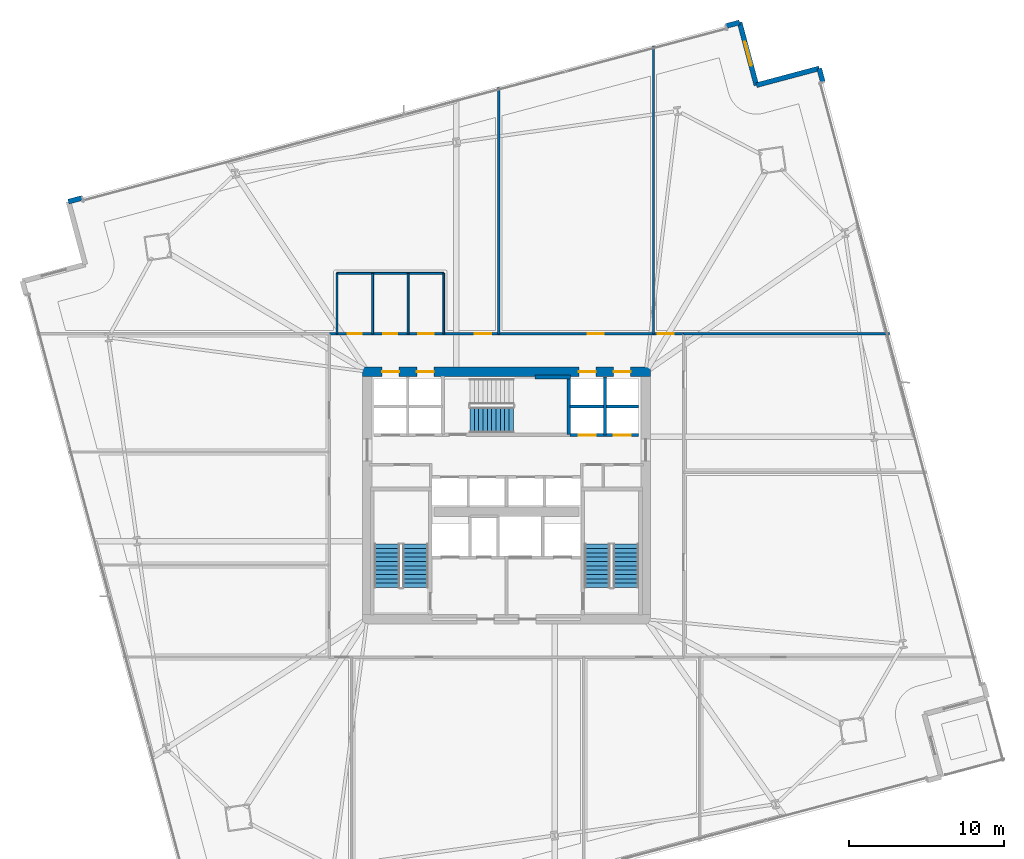
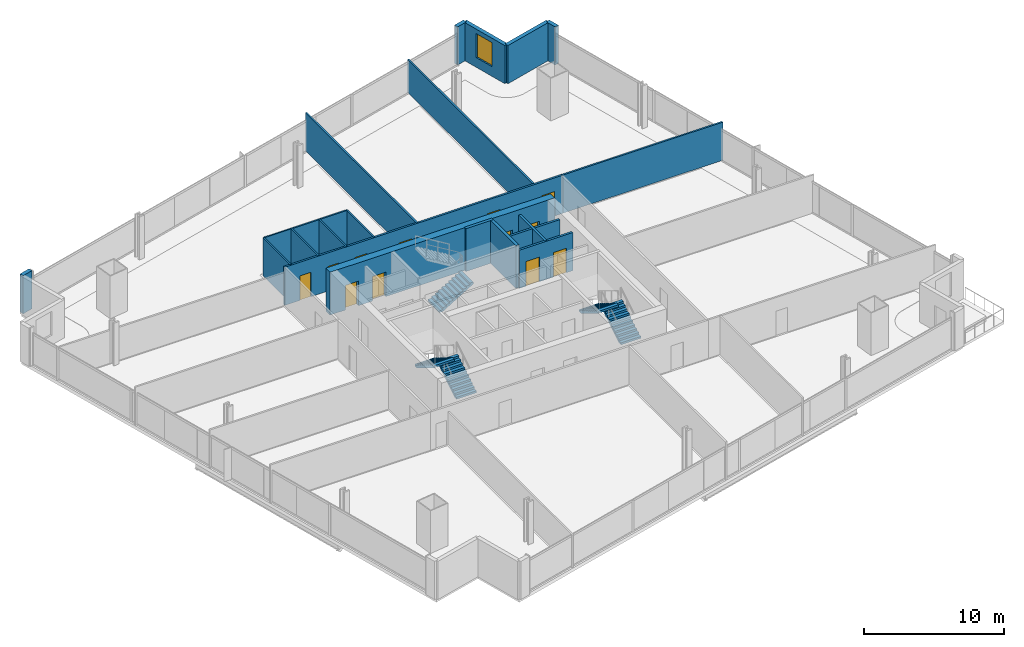
# One storey, part 27 of 33: 20 walls, 12 doors, 5 stair flights, 1 window, 13 openings, 3 elements without a shape of their own.
"""IFC4 building model written with IfcOpenShell, lengths in metres."""

from ifc_helpers import new_model, si_unit, direction, frame, frame_2d, origin, place, context, subcontext, project, spatial, polyline, rectangle, outline, extrude, material, layer, layer_set, type_object, element, fill, aggregate, save


model = new_model("IFC4")

# Units and contexts
model_context = context("Model", 3, precision=1e-05, world=origin(), true_north=direction((0.0, 1.0)))
body_context = subcontext(model_context, "Body", "Model", "MODEL_VIEW")
ifc_project = project(units=[si_unit("LENGTHUNIT", "METRE"), si_unit("AREAUNIT", "SQUARE_METRE"), si_unit("VOLUMEUNIT", "CUBIC_METRE"), si_unit("PLANEANGLEUNIT", "RADIAN"), si_unit("MASSUNIT", "GRAM", prefix="KILO")], contexts=[model_context])

# Site, building, storey
site_placement = place(None, origin())
site = spatial("IfcSite", under=ifc_project, at=site_placement, CompositionType="ELEMENT")
building_placement = place(site_placement, origin())
building = spatial("IfcBuilding", under=site, at=building_placement, Name="Haldenkirk Collegiate Tower", CompositionType="ELEMENT")
storey_placement = place(building_placement, frame((0.0, 0.0, 77.699951171875)))
storey = spatial("IfcBuildingStorey", under=building, at=storey_placement, Name="L18", CompositionType="ELEMENT", Elevation=77.699951171875)

# Wall, openings, doors
ifc_material_1 = material(Name="Concrete f'c 70 MPa", Category="concrete")
ifc_layer_1 = layer(ifc_material_1, 0.60009765625)
ifc_layer_set_1 = layer_set([ifc_layer_1], Name="Concrete f'c 70 MPa")
wall_type_1 = type_object("IfcWallType", Name="WL-CORE-600", PredefinedType="SHEAR", material=ifc_layer_set_1)
wall_1_placement = place(storey_placement, frame((26.699951171875, 34.0, 0.0), z_axis=(0.0, 0.0, 1.0), x_axis=(1.0, 0.0, 0.0)))
wall_1 = element("IfcWall", 1, at=wall_1_placement, inside=storey, type_object=wall_type_1, Name="L18 central core shear wall N", PredefinedType="SHEAR", context=body_context, shape_type="SweptSolid", body=[
    extrude(rectangle(XDim=18.60009765625, YDim=0.60009765625, at=frame_2d((9.300048828125, 0.0))), origin(), (0.0, 0.0, 1.0), 3.75),
])
opening_1_placement = place(wall_1_placement, frame((1.264892578125, 0.0, 0.0)))
opening_1 = element("IfcOpeningElement", 2, at=opening_1_placement, cuts=wall_1, Name="Opening LD-11", PredefinedType="OPENING", context=body_context, shape_type="SweptSolid", body=[
    extrude(rectangle(XDim=1.10009765625, YDim=2.14990234375, at=frame_2d((0.550048828125, 1.074951171875))), frame((0.0, 0.31005859375, 0.0), z_axis=(0.0, -1.0, 0.0), x_axis=(1.0, 0.0, 0.0)), (0.0, 0.0, 1.0), 0.6201171875),
])
opening_2_placement = place(wall_1_placement, frame((3.514892578125, 0.0, 0.0)))
opening_2 = element("IfcOpeningElement", 3, at=opening_2_placement, cuts=wall_1, Name="Opening LD-11", PredefinedType="OPENING", context=body_context, shape_type="SweptSolid", body=[
    extrude(rectangle(XDim=1.10009765625, YDim=2.14990234375, at=frame_2d((0.550048828125, 1.074951171875))), frame((0.0, 0.31005859375, 0.0), z_axis=(0.0, -1.0, 0.0), x_axis=(1.0, 0.0, 0.0)), (0.0, 0.0, 1.0), 0.6201171875),
])
opening_3_placement = place(wall_1_placement, frame((13.985107421875, 0.0, 0.0)))
opening_3 = element("IfcOpeningElement", 4, at=opening_3_placement, cuts=wall_1, Name="Opening LD-11", PredefinedType="OPENING", context=body_context, shape_type="SweptSolid", body=[
    extrude(rectangle(XDim=1.10009765625, YDim=2.14990234375, at=frame_2d((0.550048828125, 1.074951171875))), frame((0.0, 0.31005859375, 0.0), z_axis=(0.0, -1.0, 0.0), x_axis=(1.0, 0.0, 0.0)), (0.0, 0.0, 1.0), 0.6201171875),
])
opening_4_placement = place(wall_1_placement, frame((16.235107421875, 0.0, 0.0)))
opening_4 = element("IfcOpeningElement", 5, at=opening_4_placement, cuts=wall_1, Name="Opening LD-11", PredefinedType="OPENING", context=body_context, shape_type="SweptSolid", body=[
    extrude(rectangle(XDim=1.10009765625, YDim=2.14990234375, at=frame_2d((0.550048828125, 1.074951171875))), frame((0.0, 0.31005859375, 0.0), z_axis=(0.0, -1.0, 0.0), x_axis=(1.0, 0.0, 0.0)), (0.0, 0.0, 1.0), 0.6201171875),
])
ifc_material_2 = material(Name="Brushed architectural stainless steel", Category="steel")
ifc_layer_2 = layer(ifc_material_2, 0.06005859375)
ifc_layer_set_2 = layer_set([ifc_layer_2], Name="Brushed architectural stainless steel")
door_type_1 = type_object("IfcDoorType", Name="LD-PASS-1100", OperationType="NOTDEFINED", PredefinedType="DOOR", material=ifc_layer_set_2)
door_1_placement = place(opening_1_placement, origin())
door_1 = element("IfcDoor", 6, at=door_1_placement, inside=storey, type_object=door_type_1, Name="L18 Elevator PL3 sliding landing door", OperationType="SLIDING_TO_LEFT", OverallHeight=2.14990234375, OverallWidth=1.10009765625, PredefinedType="DOOR", context=body_context, shape_type="SweptSolid", body=[
    extrude(rectangle(XDim=1.10009765625, YDim=2.14990234375, at=frame_2d((0.550048828125, 1.074951171875))), frame((0.0, 0.02490234375, 0.0), z_axis=(0.0, -1.0, 0.0), x_axis=(1.0, 0.0, 0.0)), (0.0, 0.0, 1.0), 0.050048828125),
])
fill(opening_1, door_1)
door_2_placement = place(opening_2_placement, origin())
door_2 = element("IfcDoor", 7, at=door_2_placement, inside=storey, type_object=door_type_1, Name="L18 Elevator PL4 sliding landing door", OperationType="SLIDING_TO_LEFT", OverallHeight=2.14990234375, OverallWidth=1.10009765625, PredefinedType="DOOR", context=body_context, shape_type="SweptSolid", body=[
    extrude(rectangle(XDim=1.10009765625, YDim=2.14990234375, at=frame_2d((0.550048828125, 1.074951171875))), frame((0.0, 0.02490234375, 0.0), z_axis=(0.0, -1.0, 0.0), x_axis=(1.0, 0.0, 0.0)), (0.0, 0.0, 1.0), 0.050048828125),
])
fill(opening_2, door_2)
door_3_placement = place(opening_3_placement, origin())
door_3 = element("IfcDoor", 8, at=door_3_placement, inside=storey, type_object=door_type_1, Name="L18 Elevator PM3 sliding landing door", OperationType="SLIDING_TO_LEFT", OverallHeight=2.14990234375, OverallWidth=1.10009765625, PredefinedType="DOOR", context=body_context, shape_type="SweptSolid", body=[
    extrude(rectangle(XDim=1.10009765625, YDim=2.14990234375, at=frame_2d((0.550048828125, 1.074951171875))), frame((0.0, 0.02490234375, 0.0), z_axis=(0.0, -1.0, 0.0), x_axis=(1.0, 0.0, 0.0)), (0.0, 0.0, 1.0), 0.050048828125),
])
fill(opening_3, door_3)
door_4_placement = place(opening_4_placement, origin())
door_4 = element("IfcDoor", 9, at=door_4_placement, inside=storey, type_object=door_type_1, Name="L18 Elevator PM4 sliding landing door", OperationType="SLIDING_TO_LEFT", OverallHeight=2.14990234375, OverallWidth=1.10009765625, PredefinedType="DOOR", context=body_context, shape_type="SweptSolid", body=[
    extrude(rectangle(XDim=1.10009765625, YDim=2.14990234375, at=frame_2d((0.550048828125, 1.074951171875))), frame((0.0, 0.02490234375, 0.0), z_axis=(0.0, -1.0, 0.0), x_axis=(1.0, 0.0, 0.0)), (0.0, 0.0, 1.0), 0.050048828125),
])
fill(opening_4, door_4)

# Walls
ifc_material_3 = material(Name="Precast concrete f'c 40 MPa", Category="concrete")
ifc_layer_3 = layer(ifc_material_3, 0.320068359375)
ifc_layer_set_3 = layer_set([ifc_layer_3], Name="Precast concrete f'c 40 MPa")
wall_type_2 = type_object("IfcWallType", Name="WL-EXT-TWR-320", PredefinedType="STANDARD", material=ifc_layer_set_3)
wall_2_placement = place(storey_placement, frame((56.21435546875, 53.59912109375, 0.0), z_axis=(0.0, 0.0, 1.0), x_axis=(0.257949636316, -0.966158364413, 0.0)))
element("IfcWall", 10, at=wall_2_placement, inside=storey, type_object=wall_type_2, Name="L18 precast corner pier EL", PredefinedType="STANDARD", context=body_context, shape_type="SweptSolid", body=[
    extrude(rectangle(XDim=0.900146484375, YDim=0.320068359375, at=frame_2d((0.4501953125, 0.0))), origin(), (0.0, 0.0, 1.0), 3.340087890625),
])
wall_3_placement = place(storey_placement, frame((52.156494140625, 52.515380859375, 0.0), z_axis=(0.0, 0.0, 1.0), x_axis=(0.966137428531, 0.258028039543, 0.0)))
element("IfcWall", 11, at=wall_3_placement, inside=storey, type_object=wall_type_2, Name="L18 bronze precast notch wall 05", PredefinedType="STANDARD", context=body_context, shape_type="SweptSolid", body=[
    extrude(rectangle(XDim=4.2001953125, YDim=0.320068359375, at=frame_2d((2.10009765625, 0.0))), origin(), (0.0, 0.0, 1.0), 3.340087890625),
])

# Wall, opening, window
wall_4_placement = place(storey_placement, frame((51.072998046875, 56.5732421875, 0.0), z_axis=(0.0, 0.0, 1.0), x_axis=(0.257973780849, -0.966151917865, 0.0)))
wall_4 = element("IfcWall", 12, at=wall_4_placement, inside=storey, type_object=wall_type_2, Name="L18 bronze precast notch wall 06", PredefinedType="STANDARD", context=body_context, shape_type="SweptSolid", body=[
    extrude(rectangle(XDim=4.199951171875, YDim=0.320068359375, at=frame_2d((2.10009765625, 0.0))), origin(), (0.0, 0.0, 1.0), 3.340087890625),
])
opening_5_placement = place(wall_4_placement, frame((1.300048828125, 0.0, 0.85009765625)))
opening_5 = element("IfcOpeningElement", 13, at=opening_5_placement, cuts=wall_4, Name="Opening W-03", PredefinedType="OPENING", context=body_context, shape_type="SweptSolid", body=[
    extrude(rectangle(XDim=1.60009765625, YDim=2.10009765625, at=frame_2d((0.800048828125, 1.050048828125))), frame((0.0, 0.169921875, 0.0), z_axis=(0.0, -1.0, 0.0), x_axis=(1.0, 0.0, 0.0)), (0.0, 0.0, 1.0), 0.340087890625),
])
ifc_material_4 = material(Name="Low-E argon triple insulating glass", Category="glass")
ifc_layer_4 = layer(ifc_material_4, 0.090087890625)
ifc_layer_set_4 = layer_set([ifc_layer_4], Name="Low-E argon triple insulating glass")
window_type = type_object("IfcWindowType", Name="WN-Z1-1600X2100", PartitioningType="SINGLE_PANEL", PredefinedType="WINDOW", material=ifc_layer_set_4)
window_placement = place(opening_5_placement, origin())
window = element("IfcWindow", 14, at=window_placement, inside=storey, type_object=window_type, Name="L18 precast-frame academic window 5", OverallHeight=2.10009765625, OverallWidth=1.60009765625, PartitioningType="SINGLE_PANEL", PredefinedType="WINDOW", context=body_context, shape_type="SweptSolid", body=[
    extrude(rectangle(XDim=1.60009765625, YDim=2.10009765625, at=frame_2d((0.800048828125, 1.050048828125))), frame((0.0, 0.030029296875, 0.0), z_axis=(0.0, -1.0, 0.0), x_axis=(1.0, 0.0, 0.0)), (0.0, 0.0, 1.0), 0.06005859375),
])
fill(opening_5, window)

# Walls
for number, where, z_axis, x_axis, name in (
    (15, (7.69287109375, 44.990234375, 0.0), (0.0, 0.0, 1.0), (0.966140309517, 0.258017251994, 0.0), "L18 precast corner pier NL"),
    (16, (50.20361328125, 56.341064453125, 0.0), (0.0, 0.0, 1.0), (0.966140309517, 0.258017251994, 0.0), "L18 precast corner pier NR"),
):
    element("IfcWall", number, at=place(storey_placement, frame(where, z_axis=z_axis, x_axis=x_axis)), inside=storey, type_object=wall_type_2, Name=name, PredefinedType="STANDARD", context=body_context, shape_type="SweptSolid", body=[
        extrude(rectangle(XDim=0.89990234375, YDim=0.320068359375, at=frame_2d((0.449951171875, 0.0))), origin(), (0.0, 0.0, 1.0), 3.340087890625),
    ])

# Wall, openings, doors
ifc_material_5 = material(Name="Acoustic fire-rated gypsum partition", Category="concrete")
ifc_layer_5 = layer(ifc_material_5, 0.159912109375)
ifc_layer_set_5 = layer_set([ifc_layer_5], Name="Acoustic fire-rated gypsum partition")
wall_type_3 = type_object("IfcWallType", Name="WL-INT-CORR-160", PredefinedType="PARTITIONING", material=ifc_layer_set_5)
wall_5_placement = place(storey_placement, frame((24.5, 36.449951171875, 0.0), z_axis=(0.0, 0.0, 1.0), x_axis=(1.0, 0.0, 0.0)))
wall_5 = element("IfcWall", 17, at=wall_5_placement, inside=storey, type_object=wall_type_3, Name="L18 interior partition IW-L18-CN", PredefinedType="PARTITIONING", context=body_context, shape_type="SweptSolid", body=[
    extrude(rectangle(XDim=23.0, YDim=0.159912109375, at=frame_2d((11.5, 0.0))), origin(), (0.0, 0.0, 1.0), 3.340087890625),
])
opening_6_placement = place(wall_5_placement, frame((1.25, 0.0, 0.0)))
opening_6 = element("IfcOpeningElement", 18, at=opening_6_placement, cuts=wall_5, Name="Opening D-13", PredefinedType="OPENING", context=body_context, shape_type="SweptSolid", body=[
    extrude(rectangle(XDim=0.89990234375, YDim=2.14990234375, at=frame_2d((0.449951171875, 1.074951171875))), frame((0.0, 0.08984375, 0.0), z_axis=(0.0, -1.0, 0.0), x_axis=(1.0, 0.0, 0.0)), (0.0, 0.0, 1.0), 0.179931640625),
])
opening_7_placement = place(wall_5_placement, frame((3.550048828125, 0.0, 0.0)))
opening_7 = element("IfcOpeningElement", 19, at=opening_7_placement, cuts=wall_5, Name="Opening D-13", PredefinedType="OPENING", context=body_context, shape_type="SweptSolid", body=[
    extrude(rectangle(XDim=0.89990234375, YDim=2.14990234375, at=frame_2d((0.449951171875, 1.074951171875))), frame((0.0, 0.08984375, 0.0), z_axis=(0.0, -1.0, 0.0), x_axis=(1.0, 0.0, 0.0)), (0.0, 0.0, 1.0), 0.179931640625),
])
opening_8_placement = place(wall_5_placement, frame((5.800048828125, 0.0, 0.0)))
opening_8 = element("IfcOpeningElement", 20, at=opening_8_placement, cuts=wall_5, Name="Opening D-14", PredefinedType="OPENING", context=body_context, shape_type="SweptSolid", body=[
    extrude(rectangle(XDim=1.0, YDim=2.14990234375, at=frame_2d((0.5, 1.074951171875))), frame((0.0, 0.08984375, 0.0), z_axis=(0.0, -1.0, 0.0), x_axis=(1.0, 0.0, 0.0)), (0.0, 0.0, 1.0), 0.179931640625),
])
opening_9_placement = place(wall_5_placement, frame((9.465087890625, 0.0, 0.0)))
opening_9 = element("IfcOpeningElement", 21, at=opening_9_placement, cuts=wall_5, Name="Opening D-09", PredefinedType="OPENING", context=body_context, shape_type="SweptSolid", body=[
    extrude(rectangle(XDim=1.050048828125, YDim=2.14990234375, at=frame_2d((0.52490234375, 1.074951171875))), frame((0.0, 0.08984375, 0.0), z_axis=(0.0, -1.0, 0.0), x_axis=(1.0, 0.0, 0.0)), (0.0, 0.0, 1.0), 0.179931640625),
])
opening_10_placement = place(wall_5_placement, frame((16.7548828125, 0.0, 0.0)))
opening_10 = element("IfcOpeningElement", 22, at=opening_10_placement, cuts=wall_5, Name="Opening D-09", PredefinedType="OPENING", context=body_context, shape_type="SweptSolid", body=[
    extrude(rectangle(XDim=1.050048828125, YDim=2.14990234375, at=frame_2d((0.52490234375, 1.074951171875))), frame((0.0, 0.08984375, 0.0), z_axis=(0.0, -1.0, 0.0), x_axis=(1.0, 0.0, 0.0)), (0.0, 0.0, 1.0), 0.179931640625),
])
opening_11_placement = place(wall_5_placement, frame((21.280029296875, 0.0, 0.0)))
opening_11 = element("IfcOpeningElement", 23, at=opening_11_placement, cuts=wall_5, Name="Opening D-09", PredefinedType="OPENING", context=body_context, shape_type="SweptSolid", body=[
    extrude(rectangle(XDim=1.050048828125, YDim=2.14990234375, at=frame_2d((0.52490234375, 1.074951171875))), frame((0.0, 0.08984375, 0.0), z_axis=(0.0, -1.0, 0.0), x_axis=(1.0, 0.0, 0.0)), (0.0, 0.0, 1.0), 0.179931640625),
])
ifc_material_6 = material(Name="Solid-core architectural oak fire door", Category="wood")
ifc_layer_6 = layer(ifc_material_6, 0.06005859375)
ifc_layer_set_6 = layer_set([ifc_layer_6], Name="Solid-core architectural oak fire door")
door_type_2 = type_object("IfcDoorType", Name="DR-INT-ACC-1000", OperationType="NOTDEFINED", PredefinedType="DOOR", material=ifc_layer_set_6)
door_5_placement = place(opening_8_placement, origin())
door_5 = element("IfcDoor", 24, at=door_5_placement, inside=storey, type_object=door_type_2, Name="L18 Accessible WC door", OperationType="SINGLE_SWING_RIGHT", OverallHeight=2.14990234375, OverallWidth=1.0, PredefinedType="DOOR", context=body_context, shape_type="SweptSolid", body=[
    extrude(rectangle(XDim=1.0, YDim=2.14990234375, at=frame_2d((0.5, 1.074951171875))), frame((0.0, 0.02490234375, 0.0), z_axis=(0.0, -1.0, 0.0), x_axis=(1.0, 0.0, 0.0)), (0.0, 0.0, 1.0), 0.050048828125),
])
fill(opening_8, door_5)
ifc_layer_7 = layer(ifc_material_6, 0.06005859375)
ifc_layer_set_7 = layer_set([ifc_layer_7], Name="Solid-core architectural oak fire door")
door_type_3 = type_object("IfcDoorType", Name="DR-INT-FD60-1050", OperationType="NOTDEFINED", PredefinedType="DOOR", material=ifc_layer_set_7)
door_6_placement = place(opening_9_placement, origin())
door_6 = element("IfcDoor", 25, at=door_6_placement, inside=storey, type_object=door_type_3, Name="L18 Urbanism Pin-Up Studio 5 door", OperationType="SINGLE_SWING_LEFT", OverallHeight=2.14990234375, OverallWidth=1.050048828125, PredefinedType="DOOR", context=body_context, shape_type="SweptSolid", body=[
    extrude(rectangle(XDim=1.050048828125, YDim=2.14990234375, at=frame_2d((0.52490234375, 1.074951171875))), frame((0.0, 0.02490234375, 0.0), z_axis=(0.0, -1.0, 0.0), x_axis=(1.0, 0.0, 0.0)), (0.0, 0.0, 1.0), 0.050048828125),
])
fill(opening_9, door_6)
door_7_placement = place(opening_10_placement, origin())
door_7 = element("IfcDoor", 26, at=door_7_placement, inside=storey, type_object=door_type_3, Name="L18 Exhibition Gallery Studio 6 door", OperationType="SINGLE_SWING_RIGHT", OverallHeight=2.14990234375, OverallWidth=1.050048828125, PredefinedType="DOOR", context=body_context, shape_type="SweptSolid", body=[
    extrude(rectangle(XDim=1.050048828125, YDim=2.14990234375, at=frame_2d((0.52490234375, 1.074951171875))), frame((0.0, 0.02490234375, 0.0), z_axis=(0.0, -1.0, 0.0), x_axis=(1.0, 0.0, 0.0)), (0.0, 0.0, 1.0), 0.050048828125),
])
fill(opening_10, door_7)
door_8_placement = place(opening_11_placement, origin())
door_8 = element("IfcDoor", 27, at=door_8_placement, inside=storey, type_object=door_type_3, Name="L18 Academic Press Bookshop 7 door", OperationType="SINGLE_SWING_LEFT", OverallHeight=2.14990234375, OverallWidth=1.050048828125, PredefinedType="DOOR", context=body_context, shape_type="SweptSolid", body=[
    extrude(rectangle(XDim=1.050048828125, YDim=2.14990234375, at=frame_2d((0.52490234375, 1.074951171875))), frame((0.0, 0.02490234375, 0.0), z_axis=(0.0, -1.0, 0.0), x_axis=(1.0, 0.0, 0.0)), (0.0, 0.0, 1.0), 0.050048828125),
])
fill(opening_11, door_8)
ifc_layer_8 = layer(ifc_material_6, 0.06005859375)
ifc_layer_set_8 = layer_set([ifc_layer_8], Name="Solid-core architectural oak fire door")
door_type_4 = type_object("IfcDoorType", Name="DR-INT-STD-900", OperationType="NOTDEFINED", PredefinedType="DOOR", material=ifc_layer_set_8)
door_9_placement = place(opening_6_placement, origin())
door_9 = element("IfcDoor", 28, at=door_9_placement, inside=storey, type_object=door_type_4, Name="L18 Male WC door", OperationType="SINGLE_SWING_RIGHT", OverallHeight=2.14990234375, OverallWidth=0.89990234375, PredefinedType="DOOR", context=body_context, shape_type="SweptSolid", body=[
    extrude(rectangle(XDim=0.89990234375, YDim=2.14990234375, at=frame_2d((0.449951171875, 1.074951171875))), frame((0.0, 0.02490234375, 0.0), z_axis=(0.0, -1.0, 0.0), x_axis=(1.0, 0.0, 0.0)), (0.0, 0.0, 1.0), 0.050048828125),
])
fill(opening_6, door_9)
door_10_placement = place(opening_7_placement, origin())
door_10 = element("IfcDoor", 29, at=door_10_placement, inside=storey, type_object=door_type_4, Name="L18 Female WC door", OperationType="SINGLE_SWING_LEFT", OverallHeight=2.14990234375, OverallWidth=0.89990234375, PredefinedType="DOOR", context=body_context, shape_type="SweptSolid", body=[
    extrude(rectangle(XDim=0.89990234375, YDim=2.14990234375, at=frame_2d((0.449951171875, 1.074951171875))), frame((0.0, 0.02490234375, 0.0), z_axis=(0.0, -1.0, 0.0), x_axis=(1.0, 0.0, 0.0)), (0.0, 0.0, 1.0), 0.050048828125),
])
fill(opening_7, door_10)

# Walls
ifc_layer_9 = layer(ifc_material_5, 0.139892578125)
ifc_layer_set_9 = layer_set([ifc_layer_9], Name="Acoustic fire-rated gypsum partition")
wall_type_4 = type_object("IfcWallType", Name="WL-INT-DIV-140", PredefinedType="PARTITIONING", material=ifc_layer_set_9)
wall_6_placement = place(storey_placement, frame((47.449951171875, 36.449951171875, 0.0), z_axis=(0.0, 0.0, 1.0), x_axis=(1.0, 0.0, 0.0)))
element("IfcWall", 30, at=wall_6_placement, inside=storey, type_object=wall_type_4, Name="L18 interior partition IW-L18-BEN", PredefinedType="PARTITIONING", context=body_context, shape_type="SweptSolid", body=[
    extrude(rectangle(XDim=13.302001953125, YDim=0.139892578125, at=frame_2d((6.65087890625, 0.0))), origin(), (0.0, 0.0, 1.0), 3.340087890625),
])
wall_7_placement = place(storey_placement, frame((35.5, 36.449951171875, 0.0), z_axis=(0.0, 0.0, 1.0), x_axis=(0.0, 1.0, 0.0)))
element("IfcWall", 31, at=wall_7_placement, inside=storey, type_object=wall_type_4, Name="L18 interior partition IW-L18-RN1", PredefinedType="PARTITIONING", context=body_context, shape_type="SweptSolid", body=[
    extrude(rectangle(XDim=15.923828125, YDim=0.139892578125, at=frame_2d((7.9619140625, 0.0))), origin(), (0.0, 0.0, 1.0), 3.340087890625),
])
wall_8_placement = place(storey_placement, frame((45.5, 36.449951171875, 0.0), z_axis=(0.0, 0.0, 1.0), x_axis=(0.0, 1.0, 0.0)))
element("IfcWall", 32, at=wall_8_placement, inside=storey, type_object=wall_type_4, Name="L18 interior partition IW-L18-RN2", PredefinedType="PARTITIONING", context=body_context, shape_type="SweptSolid", body=[
    extrude(rectangle(XDim=18.59375, YDim=0.139892578125, at=frame_2d((9.296875, 0.0))), origin(), (0.0, 0.0, 1.0), 2.8720703125),
])

# Wall, openings, doors
ifc_material_7 = material(Name="Fire-rated gypsum shaftboard assembly", Category="concrete")
ifc_layer_10 = layer(ifc_material_7, 0.179931640625)
ifc_layer_set_10 = layer_set([ifc_layer_10], Name="Fire-rated gypsum shaftboard assembly")
wall_type_5 = type_object("IfcWallType", Name="WL-INT-SHAFT-180", PredefinedType="PARTITIONING", material=ifc_layer_set_10)
wall_9_placement = place(storey_placement, frame((40.1201171875, 29.89990234375, 0.0), z_axis=(0.0, 0.0, 1.0), x_axis=(1.0, 0.0, 0.0)))
wall_9 = element("IfcWall", 33, at=wall_9_placement, inside=storey, type_object=wall_type_5, Name="L18 interior partition IW-L18-PMS", PredefinedType="PARTITIONING", context=body_context, shape_type="SweptSolid", body=[
    extrude(rectangle(XDim=4.429931640625, YDim=0.179931640625, at=frame_2d((2.21484375, 0.0))), origin(), (0.0, 0.0, 1.0), 3.340087890625),
])
opening_12_placement = place(wall_9_placement, frame((0.56494140625, 0.0, 0.0)))
opening_12 = element("IfcOpeningElement", 34, at=opening_12_placement, cuts=wall_9, Name="Opening LD-11", PredefinedType="OPENING", context=body_context, shape_type="SweptSolid", body=[
    extrude(rectangle(XDim=1.10009765625, YDim=2.14990234375, at=frame_2d((0.550048828125, 1.074951171875))), frame((0.0, 0.099853515625, 0.0), z_axis=(0.0, -1.0, 0.0), x_axis=(1.0, 0.0, 0.0)), (0.0, 0.0, 1.0), 0.199951171875),
])
opening_13_placement = place(wall_9_placement, frame((2.81494140625, 0.0, 0.0)))
opening_13 = element("IfcOpeningElement", 35, at=opening_13_placement, cuts=wall_9, Name="Opening LD-11", PredefinedType="OPENING", context=body_context, shape_type="SweptSolid", body=[
    extrude(rectangle(XDim=1.10009765625, YDim=2.14990234375, at=frame_2d((0.550048828125, 1.074951171875))), frame((0.0, 0.099853515625, 0.0), z_axis=(0.0, -1.0, 0.0), x_axis=(1.0, 0.0, 0.0)), (0.0, 0.0, 1.0), 0.199951171875),
])
door_11_placement = place(opening_12_placement, origin())
door_11 = element("IfcDoor", 36, at=door_11_placement, inside=storey, type_object=door_type_1, Name="L18 Elevator PM1 sliding landing door", OperationType="SLIDING_TO_LEFT", OverallHeight=2.14990234375, OverallWidth=1.10009765625, PredefinedType="DOOR", context=body_context, shape_type="SweptSolid", body=[
    extrude(rectangle(XDim=1.10009765625, YDim=2.14990234375, at=frame_2d((0.550048828125, 1.074951171875))), frame((0.0, 0.02490234375, 0.0), z_axis=(0.0, -1.0, 0.0), x_axis=(1.0, 0.0, 0.0)), (0.0, 0.0, 1.0), 0.050048828125),
])
fill(opening_12, door_11)
door_12_placement = place(opening_13_placement, origin())
door_12 = element("IfcDoor", 37, at=door_12_placement, inside=storey, type_object=door_type_1, Name="L18 Elevator PM2 sliding landing door", OperationType="SLIDING_TO_LEFT", OverallHeight=2.14990234375, OverallWidth=1.10009765625, PredefinedType="DOOR", context=body_context, shape_type="SweptSolid", body=[
    extrude(rectangle(XDim=1.10009765625, YDim=2.14990234375, at=frame_2d((0.550048828125, 1.074951171875))), frame((0.0, 0.02490234375, 0.0), z_axis=(0.0, -1.0, 0.0), x_axis=(1.0, 0.0, 0.0)), (0.0, 0.0, 1.0), 0.050048828125),
])
fill(opening_13, door_12)

# Walls
wall_10_placement = place(storey_placement, frame((40.1201171875, 31.75, 0.0), z_axis=(0.0, 0.0, 1.0), x_axis=(1.0, 0.0, 0.0)))
element("IfcWall", 38, at=wall_10_placement, inside=storey, type_object=wall_type_5, Name="L18 interior partition IW-L18-PMM", PredefinedType="PARTITIONING", context=body_context, shape_type="SweptSolid", body=[
    extrude(rectangle(XDim=4.429931640625, YDim=0.179931640625, at=frame_2d((2.21484375, 0.0))), origin(), (0.0, 0.0, 1.0), 3.340087890625),
])
wall_11_placement = place(storey_placement, frame((42.3701171875, 29.89990234375, 0.0), z_axis=(0.0, 0.0, 1.0), x_axis=(0.0, 1.0, 0.0)))
element("IfcWall", 39, at=wall_11_placement, inside=storey, type_object=wall_type_5, Name="L18 interior partition IW-L18-PMV", PredefinedType="PARTITIONING", context=body_context, shape_type="SweptSolid", body=[
    extrude(rectangle(XDim=3.75, YDim=0.179931640625, at=frame_2d((1.875, 0.0))), origin(), (0.0, 0.0, 1.0), 3.340087890625),
])
ifc_layer_11 = layer(ifc_material_5, 0.1201171875)
ifc_layer_set_11 = layer_set([ifc_layer_11], Name="Acoustic fire-rated gypsum partition")
wall_type_6 = type_object("IfcWallType", Name="WL-INT-WET-120", PredefinedType="PARTITIONING", material=ifc_layer_set_11)
for number, where, z_axis, x_axis, name in (
    (40, (25.050048828125, 36.449951171875, 0.0), (0.0, 0.0, 1.0), (0.0, 1.0, 0.0), "L18 interior partition IW-L18-WCW"),
    (41, (27.35009765625, 36.449951171875, 0.0), (0.0, 0.0, 1.0), (0.0, 1.0, 0.0), "L18 interior partition IW-L18-WC1"),
    (42, (29.64990234375, 36.449951171875, 0.0), (0.0, 0.0, 1.0), (0.0, 1.0, 0.0), "L18 interior partition IW-L18-WC2"),
    (43, (31.949951171875, 36.449951171875, 0.0), (0.0, 0.0, 1.0), (0.0, 1.0, 0.0), "L18 interior partition IW-L18-WCE"),
):
    element("IfcWall", number, at=place(storey_placement, frame(where, z_axis=z_axis, x_axis=x_axis)), inside=storey, type_object=wall_type_6, Name=name, PredefinedType="PARTITIONING", context=body_context, shape_type="SweptSolid", body=[
        extrude(rectangle(XDim=3.900146484375, YDim=0.1201171875, at=frame_2d((1.9501953125, 0.0))), origin(), (0.0, 0.0, 1.0), 3.340087890625),
    ])
wall_12_placement = place(storey_placement, frame((25.050048828125, 40.35009765625, 0.0), z_axis=(0.0, 0.0, 1.0), x_axis=(1.0, 0.0, 0.0)))
element("IfcWall", 44, at=wall_12_placement, inside=storey, type_object=wall_type_6, Name="L18 interior partition IW-L18-WCB", PredefinedType="PARTITIONING", context=body_context, shape_type="SweptSolid", body=[
    extrude(rectangle(XDim=6.89990234375, YDim=0.1201171875, at=frame_2d((3.449951171875, 0.0))), origin(), (0.0, 0.0, 1.0), 3.340087890625),
])
ifc_material_8 = material(Name="Concrete f'c 55 MPa", Category="concrete")
ifc_layer_12 = layer(ifc_material_8, 0.239990234375)
ifc_layer_set_12 = layer_set([ifc_layer_12], Name="Concrete f'c 55 MPa")
wall_type_7 = type_object("IfcWallType", Name="WL-SHAFT-240", PredefinedType="SHEAR", material=ifc_layer_set_12)
wall_13_placement = place(storey_placement, frame((40.02001953125, 29.929931640625, 0.0), z_axis=(0.0, 0.0, 1.0), x_axis=(0.0, 1.0, 0.0)))
element("IfcWall", 45, at=wall_13_placement, inside=storey, type_object=wall_type_7, Name="L18 stair shaft shear wall SW-L18-ST3E", PredefinedType="SHEAR", context=body_context, shape_type="SweptSolid", body=[
    extrude(rectangle(XDim=3.85009765625, YDim=0.239990234375, at=frame_2d((1.925048828125, 0.0))), origin(), (0.0, 0.0, 1.0), 3.75),
])
wall_14_placement = place(storey_placement, frame((37.85009765625, 33.659912109375, 0.0), z_axis=(0.0, 0.0, 1.0), x_axis=(1.0, 0.0, 0.0)))
element("IfcWall", 46, at=wall_14_placement, inside=storey, type_object=wall_type_7, Name="L18 stair shaft shear wall SW-L18-ST3N", PredefinedType="SHEAR", context=body_context, shape_type="SweptSolid", body=[
    extrude(rectangle(XDim=2.289794921875, YDim=0.239990234375, at=frame_2d((1.14501953125, 0.0))), origin(), (0.0, 0.0, 1.0), 3.75),
])

# Stair, stair flights
ifc_material_9 = material(Name="Concrete f'c 40 MPa", Category="concrete")
stair_type = type_object("IfcStairType", Name="STR-DOGLEG-1650", PredefinedType="HALF_TURN_STAIR", material=ifc_material_9)
stair_1_placement = place(storey_placement, origin())
stair_1 = element("IfcStair", 47, at=stair_1_placement, inside=storey, type_object=stair_type, Name="L18 Core Exit Stair ST-1", PredefinedType="HALF_TURN_STAIR")
stair_flight_type = type_object("IfcStairFlightType", Name="STF-FLIGHT-1650", PredefinedType="STRAIGHT", material=ifc_material_9)
stair_flight_1_placement = place(storey_placement, frame((30.125, 20.050048828125, 0.0), z_axis=(0.0, 0.0, 1.0), x_axis=(0.0, 1.0, 0.0)))
stair_flight_1 = element("IfcStairFlight", 48, at=stair_flight_1_placement, type_object=stair_flight_type, Name="ST-1 flight 1", NumberOfRisers=11, NumberOfTreads=10, PredefinedType="STRAIGHT", RiserHeight=0.170454545, TreadLength=0.28, context=body_context, shape_type="SweptSolid", body=[
    extrude(outline(polyline([(0.0, 0.0), (0.0, 0.17041015625), (0.280029296875, 0.17041015625), (0.280029296875, 0.3408203125), (0.56005859375, 0.3408203125), (0.56005859375, 0.511474609375), (0.840087890625, 0.511474609375), (0.840087890625, 0.681884765625), (1.1201171875, 0.681884765625), (1.1201171875, 0.852294921875), (1.39990234375, 0.852294921875), (1.39990234375, 1.022705078125), (1.679931640625, 1.022705078125), (1.679931640625, 1.193115234375), (1.9599609375, 1.193115234375), (1.9599609375, 1.363525390625), (2.239990234375, 1.363525390625), (2.239990234375, 1.5341796875), (2.52001953125, 1.5341796875), (2.52001953125, 1.70458984375), (2.800048828125, 1.70458984375), (2.800048828125, 1.875), (2.800048828125, 1.529052734375), (0.288330078125, 0.0), (0.0, 0.0)])), frame((0.0, 0.824951171875, 0.0), z_axis=(0.0, -1.0, 0.0), x_axis=(1.0, 0.0, 0.0)), (0.0, 0.0, 1.0), 1.64990234375),
])
stair_flight_2_placement = place(storey_placement, frame((28.27490234375, 22.85009765625, 1.875), z_axis=(0.0, 0.0, 1.0), x_axis=(0.0, -1.0, 0.0)))
stair_flight_2 = element("IfcStairFlight", 49, at=stair_flight_2_placement, type_object=stair_flight_type, Name="ST-1 flight 2", NumberOfRisers=11, NumberOfTreads=10, PredefinedType="STRAIGHT", RiserHeight=0.170454545, TreadLength=0.28, context=body_context, shape_type="SweptSolid", body=[
    extrude(outline(polyline([(0.0, 0.0), (0.0, 0.17041015625), (0.280029296875, 0.17041015625), (0.280029296875, 0.3408203125), (0.56005859375, 0.3408203125), (0.56005859375, 0.511474609375), (0.840087890625, 0.511474609375), (0.840087890625, 0.681884765625), (1.1201171875, 0.681884765625), (1.1201171875, 0.852294921875), (1.39990234375, 0.852294921875), (1.39990234375, 1.022705078125), (1.679931640625, 1.022705078125), (1.679931640625, 1.193115234375), (1.9599609375, 1.193115234375), (1.9599609375, 1.363525390625), (2.239990234375, 1.363525390625), (2.239990234375, 1.5341796875), (2.52001953125, 1.5341796875), (2.52001953125, 1.70458984375), (2.800048828125, 1.70458984375), (2.800048828125, 1.875), (2.800048828125, 1.529052734375), (0.288330078125, 0.0), (0.0, 0.0)])), frame((0.0, 0.824951171875, 0.0), z_axis=(0.0, -1.0, 0.0), x_axis=(1.0, 0.0, 0.0)), (0.0, 0.0, 1.0), 1.64990234375),
])
aggregate(stair_1, [stair_flight_1, stair_flight_2])

stair_2_placement = place(storey_placement, origin())
stair_2 = element("IfcStair", 50, at=stair_2_placement, inside=storey, type_object=stair_type, Name="L18 Core Exit Stair ST-2", PredefinedType="HALF_TURN_STAIR")
stair_flight_3_placement = place(storey_placement, frame((43.72509765625, 20.050048828125, 0.0), z_axis=(0.0, 0.0, 1.0), x_axis=(0.0, 1.0, 0.0)))
stair_flight_3 = element("IfcStairFlight", 51, at=stair_flight_3_placement, type_object=stair_flight_type, Name="ST-2 flight 1", NumberOfRisers=11, NumberOfTreads=10, PredefinedType="STRAIGHT", RiserHeight=0.170454545, TreadLength=0.28, context=body_context, shape_type="SweptSolid", body=[
    extrude(outline(polyline([(0.0, 0.0), (0.0, 0.17041015625), (0.280029296875, 0.17041015625), (0.280029296875, 0.3408203125), (0.56005859375, 0.3408203125), (0.56005859375, 0.511474609375), (0.840087890625, 0.511474609375), (0.840087890625, 0.681884765625), (1.1201171875, 0.681884765625), (1.1201171875, 0.852294921875), (1.39990234375, 0.852294921875), (1.39990234375, 1.022705078125), (1.679931640625, 1.022705078125), (1.679931640625, 1.193115234375), (1.9599609375, 1.193115234375), (1.9599609375, 1.363525390625), (2.239990234375, 1.363525390625), (2.239990234375, 1.5341796875), (2.52001953125, 1.5341796875), (2.52001953125, 1.70458984375), (2.800048828125, 1.70458984375), (2.800048828125, 1.875), (2.800048828125, 1.529052734375), (0.288330078125, 0.0), (0.0, 0.0)])), frame((0.0, 0.824951171875, 0.0), z_axis=(0.0, -1.0, 0.0), x_axis=(1.0, 0.0, 0.0)), (0.0, 0.0, 1.0), 1.64990234375),
])
stair_flight_4_placement = place(storey_placement, frame((41.875, 22.85009765625, 1.875), z_axis=(0.0, 0.0, 1.0), x_axis=(0.0, -1.0, 0.0)))
stair_flight_4 = element("IfcStairFlight", 52, at=stair_flight_4_placement, type_object=stair_flight_type, Name="ST-2 flight 2", NumberOfRisers=11, NumberOfTreads=10, PredefinedType="STRAIGHT", RiserHeight=0.170454545, TreadLength=0.28, context=body_context, shape_type="SweptSolid", body=[
    extrude(outline(polyline([(0.0, 0.0), (0.0, 0.17041015625), (0.280029296875, 0.17041015625), (0.280029296875, 0.3408203125), (0.56005859375, 0.3408203125), (0.56005859375, 0.511474609375), (0.840087890625, 0.511474609375), (0.840087890625, 0.681884765625), (1.1201171875, 0.681884765625), (1.1201171875, 0.852294921875), (1.39990234375, 0.852294921875), (1.39990234375, 1.022705078125), (1.679931640625, 1.022705078125), (1.679931640625, 1.193115234375), (1.9599609375, 1.193115234375), (1.9599609375, 1.363525390625), (2.239990234375, 1.363525390625), (2.239990234375, 1.5341796875), (2.52001953125, 1.5341796875), (2.52001953125, 1.70458984375), (2.800048828125, 1.70458984375), (2.800048828125, 1.875), (2.800048828125, 1.529052734375), (0.288330078125, 0.0), (0.0, 0.0)])), frame((0.0, 0.824951171875, 0.0), z_axis=(0.0, -1.0, 0.0), x_axis=(1.0, 0.0, 0.0)), (0.0, 0.0, 1.0), 1.64990234375),
])
aggregate(stair_2, [stair_flight_3, stair_flight_4])

# Stair, stair flight
stair_3_placement = place(storey_placement, origin())
stair_3 = element("IfcStair", 53, at=stair_3_placement, inside=storey, type_object=stair_type, Name="L18 Core Exit Stair ST-3", PredefinedType="HALF_TURN_STAIR")
stair_flight_5_placement = place(storey_placement, frame((33.64990234375, 30.875, 0.0), z_axis=(0.0, 0.0, 1.0), x_axis=(1.0, 0.0, 0.0)))
stair_flight_5 = element("IfcStairFlight", 54, at=stair_flight_5_placement, type_object=stair_flight_type, Name="ST-3 flight 1", NumberOfRisers=11, NumberOfTreads=10, PredefinedType="STRAIGHT", RiserHeight=0.170454545, TreadLength=0.28, context=body_context, shape_type="SweptSolid", body=[
    extrude(outline(polyline([(0.0, 0.0), (0.0, 0.17041015625), (0.280029296875, 0.17041015625), (0.280029296875, 0.3408203125), (0.56005859375, 0.3408203125), (0.56005859375, 0.511474609375), (0.840087890625, 0.511474609375), (0.840087890625, 0.681884765625), (1.1201171875, 0.681884765625), (1.1201171875, 0.852294921875), (1.39990234375, 0.852294921875), (1.39990234375, 1.022705078125), (1.679931640625, 1.022705078125), (1.679931640625, 1.193115234375), (1.9599609375, 1.193115234375), (1.9599609375, 1.363525390625), (2.239990234375, 1.363525390625), (2.239990234375, 1.5341796875), (2.52001953125, 1.5341796875), (2.52001953125, 1.70458984375), (2.800048828125, 1.70458984375), (2.800048828125, 1.875), (2.800048828125, 1.529052734375), (0.288330078125, 0.0), (0.0, 0.0)])), frame((0.0, 0.824951171875, 0.0), z_axis=(0.0, -1.0, 0.0), x_axis=(1.0, 0.0, 0.0)), (0.0, 0.0, 1.0), 1.64990234375),
])
aggregate(stair_3, [stair_flight_5])

save(model, "model.ifc")
